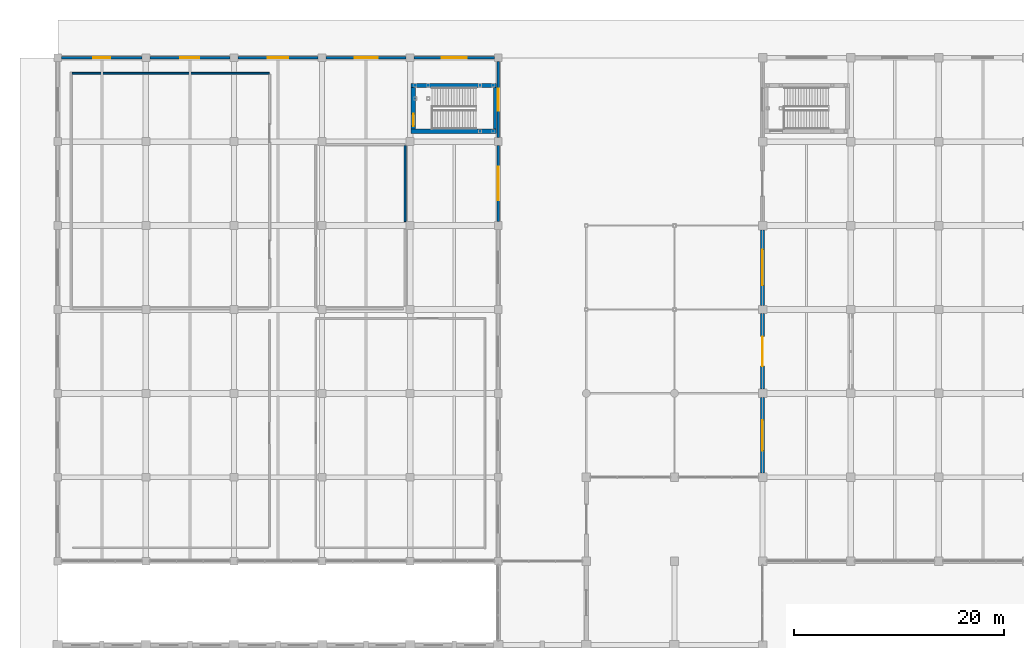
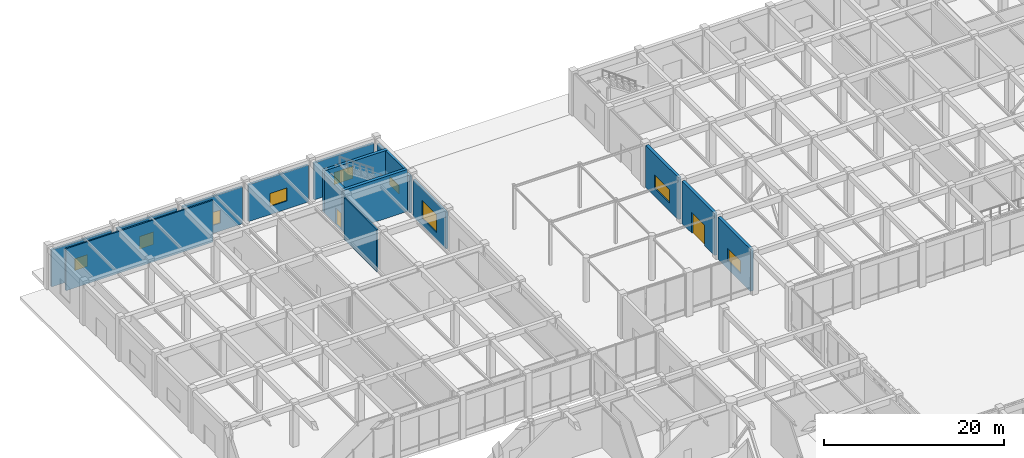
# One storey, part 55 of 76: 16 walls, 9 windows, 2 doors, 11 openings.
"""IFC4 building model written with IfcOpenShell, lengths in metres."""

from ifc_helpers import new_model, si_unit, direction, frame, frame_2d, origin, place, context, subcontext, project, spatial, rectangle, extrude, material, layer, layer_set, type_object, element, fill, save


model = new_model("IFC4")

# Units and contexts
model_context = context("Model", 3, precision=1e-05, world=origin(), true_north=direction((0.0, 1.0)))
body_context = subcontext(model_context, "Body", "Model", "MODEL_VIEW")
ifc_project = project(units=[si_unit("LENGTHUNIT", "METRE"), si_unit("AREAUNIT", "SQUARE_METRE"), si_unit("VOLUMEUNIT", "CUBIC_METRE"), si_unit("PLANEANGLEUNIT", "RADIAN"), si_unit("MASSUNIT", "GRAM", prefix="KILO")], contexts=[model_context])

# Site, building, storey
site_placement = place(None, origin())
site = spatial("IfcSite", under=ifc_project, at=site_placement, CompositionType="ELEMENT")
building_placement = place(site_placement, origin())
building = spatial("IfcBuilding", under=site, at=building_placement, Name="Naruveol Harbour Congress Hotel", CompositionType="ELEMENT")
storey_placement = place(building_placement, origin())
storey = spatial("IfcBuildingStorey", under=building, at=storey_placement, Name="L00", CompositionType="ELEMENT", Elevation=0.0)

# Walls
ifc_material_1 = material(Name="Autoclaved Aerated Concrete Block", Category="concrete")
ifc_layer_1 = layer(ifc_material_1, 0.179931640625)
ifc_layer_set_1 = layer_set([ifc_layer_1], Name="Autoclaved Aerated Concrete Block")
wall_type_1 = type_object("IfcWallType", Name="ACOUSTIC HALL PARTITION WALL 180 EI60", PredefinedType="PARTITIONING", material=ifc_layer_set_1)
wall_1_placement = place(storey_placement, frame((1.3701171875, 110.52001953125, 0.0), z_axis=(0.0, 0.0, 1.0), x_axis=(1.0, 0.0, 0.0)))
element("IfcWall", 1, at=wall_1_placement, inside=storey, type_object=wall_type_1, Name="Mineral Hydrotherapy and Sauna Suite north enclosure partition PW-180", PredefinedType="PARTITIONING", context=body_context, shape_type="SweptSolid", body=[
    extrude(rectangle(XDim=18.7978515625, YDim=0.179931640625, at=frame_2d((9.39892578125, 0.0))), origin(), (0.0, 0.0, 1.0), 5.675048828125),
])
wall_2_placement = place(storey_placement, frame((33.1201171875, 96.3740234375, 0.0), z_axis=(0.0, 0.0, 1.0), x_axis=(0.0, 1.0, 0.0)))
element("IfcWall", 2, at=wall_2_placement, inside=storey, type_object=wall_type_1, Name="Pool Filtration and Treatment Room east enclosure partition PW-180", PredefinedType="PARTITIONING", context=body_context, shape_type="SweptSolid", body=[
    extrude(rectangle(XDim=7.251953125, YDim=0.179931640625, at=frame_2d((3.6259765625, 0.0))), origin(), (0.0, 0.0, 1.0), 5.675048828125),
])

# Wall, opening, window
ifc_material_2 = material(Name="Precast concrete C40/50", Category="concrete")
ifc_layer_2 = layer(ifc_material_2, 0.280029296875)
ifc_layer_set_2 = layer_set([ifc_layer_2], Name="Precast concrete C40/50")
wall_type_2 = type_object("IfcWallType", Name="ARCHITECTURAL PRECAST FACADE WALL 280", PredefinedType="SOLIDWALL", material=ifc_layer_set_2)
wall_3_placement = place(storey_placement, frame((42.0, 103.625, 0.0), z_axis=(0.0, 0.0, 1.0), x_axis=(0.0, -1.0, 0.0)))
wall_3 = element("IfcWall", 3, at=wall_3_placement, inside=storey, type_object=wall_type_2, Name="Spa forecourt wall EW-280", PredefinedType="SOLIDWALL", context=body_context, shape_type="SweptSolid", body=[
    extrude(rectangle(XDim=7.25, YDim=0.280029296875, at=frame_2d((3.625, 0.0))), origin(), (0.0, 0.0, 1.0), 5.0),
])
opening_1_placement = place(wall_3_placement, frame((2.02490234375, 0.0, 1.0)))
opening_1 = element("IfcOpeningElement", 4, at=opening_1_placement, cuts=wall_3, Name="Opening W-11", PredefinedType="OPENING", context=body_context, shape_type="SweptSolid", body=[
    extrude(rectangle(XDim=3.199951171875, YDim=2.39990234375, at=frame_2d((1.60009765625, 1.199951171875))), frame((0.0, 0.14990234375, 0.0), z_axis=(0.0, -1.0, 0.0), x_axis=(1.0, 0.0, 0.0)), (0.0, 0.0, 1.0), 0.300048828125),
])
ifc_material_3 = material(Name="Low-E Triple Glazing in Thermal Aluminium", Category="aluminium")
window_type_1 = type_object("IfcWindowType", Name="BRASSERIE WATERFRONT WINDOW 3200X2400", PartitioningType="DOUBLE_PANEL_VERTICAL", PredefinedType="WINDOW", material=ifc_material_3)
window_1_placement = place(opening_1_placement, origin())
window_1 = element("IfcWindow", 5, at=window_1_placement, inside=storey, type_object=window_type_1, Name="Window W-11 #95", OverallHeight=2.39990234375, OverallWidth=3.199951171875, PartitioningType="DOUBLE_PANEL_VERTICAL", PredefinedType="WINDOW", context=body_context, shape_type="SweptSolid", body=[
    extrude(rectangle(XDim=3.199951171875, YDim=2.39990234375, at=frame_2d((1.60009765625, 1.199951171875))), frame((0.0, 0.030029296875, 0.0), z_axis=(0.0, -1.0, 0.0), x_axis=(1.0, 0.0, 0.0)), (0.0, 0.0, 1.0), 0.06005859375),
])
fill(opening_1, window_1)

wall_4_placement = place(storey_placement, frame((42.0, 111.625, 0.0), z_axis=(0.0, 0.0, 1.0), x_axis=(0.0, -1.0, 0.0)))
wall_4 = element("IfcWall", 6, at=wall_4_placement, inside=storey, type_object=wall_type_2, Name="Spa forecourt wall EW-280", PredefinedType="SOLIDWALL", context=body_context, shape_type="SweptSolid", body=[
    extrude(rectangle(XDim=7.25, YDim=0.280029296875, at=frame_2d((3.625, 0.0))), origin(), (0.0, 0.0, 1.0), 5.0),
])
opening_2_placement = place(wall_4_placement, frame((2.574951171875, 0.0, 1.0)))
opening_2 = element("IfcOpeningElement", 7, at=opening_2_placement, cuts=wall_4, Name="Opening W-17", PredefinedType="OPENING", context=body_context, shape_type="SweptSolid", body=[
    extrude(rectangle(XDim=2.10009765625, YDim=1.10009765625, at=frame_2d((1.050048828125, 0.550048828125))), frame((0.0, 0.14990234375, 0.0), z_axis=(0.0, -1.0, 0.0), x_axis=(1.0, 0.0, 0.0)), (0.0, 0.0, 1.0), 0.300048828125),
])
ifc_material_4 = material(Name="Low-E Triple Glazing in Thermal Aluminium", Category="aluminium")
window_type_2 = type_object("IfcWindowType", Name="SPA HIGHLIGHT WINDOW 2100X1100", PartitioningType="DOUBLE_PANEL_VERTICAL", PredefinedType="WINDOW", material=ifc_material_4)
window_2_placement = place(opening_2_placement, origin())
window_2 = element("IfcWindow", 8, at=window_2_placement, inside=storey, type_object=window_type_2, Name="Window W-17 #96", OverallHeight=1.10009765625, OverallWidth=2.10009765625, PartitioningType="DOUBLE_PANEL_VERTICAL", PredefinedType="WINDOW", context=body_context, shape_type="SweptSolid", body=[
    extrude(rectangle(XDim=2.10009765625, YDim=1.10009765625, at=frame_2d((1.050048828125, 0.550048828125))), frame((0.0, 0.030029296875, 0.0), z_axis=(0.0, -1.0, 0.0), x_axis=(1.0, 0.0, 0.0)), (0.0, 0.0, 1.0), 0.06005859375),
])
fill(opening_2, window_2)

ifc_material_5 = material(Name="Concrete C40/50", Category="concrete")
ifc_layer_3 = layer(ifc_material_5, 0.3798828125)
ifc_layer_set_3 = layer_set([ifc_layer_3], Name="Concrete C40/50")
wall_type_3 = type_object("IfcWallType", Name="INSULATED GRANITE FACADE WALL 380", PredefinedType="SOLIDWALL", material=ifc_layer_set_3)
wall_5_placement = place(storey_placement, frame((67.199951171875, 72.39990234375, 0.0), z_axis=(0.0, 0.0, 1.0), x_axis=(0.0, 1.0, 0.0)))
wall_5 = element("IfcWall", 9, at=wall_5_placement, inside=storey, type_object=wall_type_3, Name="Ballroom west forecourt wall EW-380", PredefinedType="SOLIDWALL", context=body_context, shape_type="SweptSolid", body=[
    extrude(rectangle(XDim=7.2001953125, YDim=0.3798828125, at=frame_2d((3.60009765625, 0.0))), origin(), (0.0, 0.0, 1.0), 5.699951171875),
])
opening_3_placement = place(wall_5_placement, frame((2.14990234375, 0.0, 1.050048828125)))
opening_3 = element("IfcOpeningElement", 10, at=opening_3_placement, cuts=wall_5, Name="Opening W-23", PredefinedType="OPENING", context=body_context, shape_type="SweptSolid", body=[
    extrude(rectangle(XDim=2.89990234375, YDim=1.75, at=frame_2d((1.449951171875, 0.875))), frame((0.0, 0.199951171875, 0.0), z_axis=(0.0, -1.0, 0.0), x_axis=(1.0, 0.0, 0.0)), (0.0, 0.0, 1.0), 0.39990234375),
])
ifc_material_6 = material(Name="Low-E Triple Glazing in Thermal Aluminium", Category="aluminium")
window_type_3 = type_object("IfcWindowType", Name="BOARDROOM HARBOUR WINDOW 2900X1750", PartitioningType="DOUBLE_PANEL_VERTICAL", PredefinedType="WINDOW", material=ifc_material_6)
window_3_placement = place(opening_3_placement, origin())
window_3 = element("IfcWindow", 11, at=window_3_placement, inside=storey, type_object=window_type_3, Name="Window W-23 #104", OverallHeight=1.75, OverallWidth=2.89990234375, PartitioningType="DOUBLE_PANEL_VERTICAL", PredefinedType="WINDOW", context=body_context, shape_type="SweptSolid", body=[
    extrude(rectangle(XDim=2.89990234375, YDim=1.75, at=frame_2d((1.449951171875, 0.875))), frame((0.0, 0.030029296875, 0.0), z_axis=(0.0, -1.0, 0.0), x_axis=(1.0, 0.0, 0.0)), (0.0, 0.0, 1.0), 0.06005859375),
])
fill(opening_3, window_3)

# Wall, opening, door
wall_6_placement = place(storey_placement, frame((67.199951171875, 80.39990234375, 0.0), z_axis=(0.0, 0.0, 1.0), x_axis=(0.0, 1.0, 0.0)))
wall_6 = element("IfcWall", 12, at=wall_6_placement, inside=storey, type_object=wall_type_3, Name="Ballroom west forecourt wall EW-380", PredefinedType="SOLIDWALL", context=body_context, shape_type="SweptSolid", body=[
    extrude(rectangle(XDim=7.2001953125, YDim=0.3798828125, at=frame_2d((3.60009765625, 0.0))), origin(), (0.0, 0.0, 1.0), 5.699951171875),
])
opening_4_placement = place(wall_6_placement, frame((2.199951171875, 0.0, 0.0)))
opening_4 = element("IfcOpeningElement", 13, at=opening_4_placement, cuts=wall_6, Name="Opening ED-BL1", PredefinedType="OPENING", context=body_context, shape_type="SweptSolid", body=[
    extrude(rectangle(XDim=2.800048828125, YDim=2.800048828125, at=frame_2d((1.39990234375, 1.39990234375))), frame((0.0, 0.199951171875, 0.0), z_axis=(0.0, -1.0, 0.0), x_axis=(1.0, 0.0, 0.0)), (0.0, 0.0, 1.0), 0.39990234375),
])
ifc_material_7 = material(Name="Powder-Coated Steel & Insulated Glazing", Category="steel")
door_type_1 = type_object("IfcDoorType", Name="MAIN ARRIVAL GLAZED ENTRANCE 2800X2800", OperationType="DOUBLE_DOOR_SINGLE_SWING", PredefinedType="DOOR", material=ifc_material_7)
door_1_placement = place(opening_4_placement, origin())
door_1 = element("IfcDoor", 14, at=door_1_placement, inside=storey, type_object=door_type_1, Name="Ballroom Forecourt Entrance Door ED-BL1", OperationType="DOUBLE_DOOR_SINGLE_SWING", OverallHeight=2.800048828125, OverallWidth=2.800048828125, PredefinedType="DOOR", context=body_context, shape_type="SweptSolid", body=[
    extrude(rectangle(XDim=2.800048828125, YDim=2.800048828125, at=frame_2d((1.39990234375, 1.39990234375))), frame((0.0, 0.02490234375, 0.0), z_axis=(0.0, -1.0, 0.0), x_axis=(1.0, 0.0, 0.0)), (0.0, 0.0, 1.0), 0.050048828125),
])
fill(opening_4, door_1)

# Wall, opening, window
wall_7_placement = place(storey_placement, frame((67.199951171875, 88.39990234375, 0.0), z_axis=(0.0, 0.0, 1.0), x_axis=(0.0, 1.0, 0.0)))
wall_7 = element("IfcWall", 15, at=wall_7_placement, inside=storey, type_object=wall_type_3, Name="Ballroom west forecourt wall EW-380", PredefinedType="SOLIDWALL", context=body_context, shape_type="SweptSolid", body=[
    extrude(rectangle(XDim=7.2001953125, YDim=0.3798828125, at=frame_2d((3.60009765625, 0.0))), origin(), (0.0, 0.0, 1.0), 5.699951171875),
])
opening_5_placement = place(wall_7_placement, frame((1.89990234375, 0.0, 1.050048828125)))
opening_5 = element("IfcOpeningElement", 16, at=opening_5_placement, cuts=wall_7, Name="Opening W-24", PredefinedType="OPENING", context=body_context, shape_type="SweptSolid", body=[
    extrude(rectangle(XDim=3.39990234375, YDim=1.85009765625, at=frame_2d((1.699951171875, 0.925048828125))), frame((0.0, 0.199951171875, 0.0), z_axis=(0.0, -1.0, 0.0), x_axis=(1.0, 0.0, 0.0)), (0.0, 0.0, 1.0), 0.39990234375),
])
ifc_material_8 = material(Name="Low-E Triple Glazing in Thermal Aluminium", Category="aluminium")
window_type_4 = type_object("IfcWindowType", Name="DELEGATES LOUNGE WINDOW 3400X1850", PartitioningType="DOUBLE_PANEL_VERTICAL", PredefinedType="WINDOW", material=ifc_material_8)
window_4_placement = place(opening_5_placement, origin())
window_4 = element("IfcWindow", 17, at=window_4_placement, inside=storey, type_object=window_type_4, Name="Window W-24 #105", OverallHeight=1.85009765625, OverallWidth=3.39990234375, PartitioningType="DOUBLE_PANEL_VERTICAL", PredefinedType="WINDOW", context=body_context, shape_type="SweptSolid", body=[
    extrude(rectangle(XDim=3.39990234375, YDim=1.85009765625, at=frame_2d((1.699951171875, 0.925048828125))), frame((0.0, 0.030029296875, 0.0), z_axis=(0.0, -1.0, 0.0), x_axis=(1.0, 0.0, 0.0)), (0.0, 0.0, 1.0), 0.06005859375),
])
fill(opening_5, window_4)

ifc_material_9 = material(Name="Concrete C40/50", Category="concrete")
ifc_layer_4 = layer(ifc_material_9, 0.260009765625)
ifc_layer_set_4 = layer_set([ifc_layer_4], Name="Concrete C40/50")
wall_type_4 = type_object("IfcWallType", Name="MARINE INSULATED FACADE WALL 260", PredefinedType="SOLIDWALL", material=ifc_layer_set_4)
wall_8_placement = place(storey_placement, frame((0.375, 112.0, 0.0), z_axis=(0.0, 0.0, 1.0), x_axis=(1.0, 0.0, 0.0)))
wall_8 = element("IfcWall", 18, at=wall_8_placement, inside=storey, type_object=wall_type_4, Name="Spa north wall EW-260", PredefinedType="SOLIDWALL", context=body_context, shape_type="SweptSolid", body=[
    extrude(rectangle(XDim=7.64990234375, YDim=0.260009765625, at=frame_2d((3.824951171875, 0.0))), origin(), (0.0, 0.0, 1.0), 5.0),
])
opening_6_placement = place(wall_8_placement, frame((3.02490234375, 0.0, 1.10009765625)))
opening_6 = element("IfcOpeningElement", 19, at=opening_6_placement, cuts=wall_8, Name="Opening W-03", PredefinedType="OPENING", context=body_context, shape_type="SweptSolid", body=[
    extrude(rectangle(XDim=1.60009765625, YDim=1.60009765625, at=frame_2d((0.800048828125, 0.800048828125))), frame((0.0, 0.139892578125, 0.0), z_axis=(0.0, -1.0, 0.0), x_axis=(1.0, 0.0, 0.0)), (0.0, 0.0, 1.0), 0.280029296875),
])
ifc_material_10 = material(Name="Low-E Triple Glazing in Thermal Aluminium", Category="aluminium")
window_type_5 = type_object("IfcWindowType", Name="DELUXE GUEST WINDOW 1600X1600", PartitioningType="SINGLE_PANEL", PredefinedType="WINDOW", material=ifc_material_10)
window_5_placement = place(opening_6_placement, origin())
window_5 = element("IfcWindow", 20, at=window_5_placement, inside=storey, type_object=window_type_5, Name="Window W-03 #87", OverallHeight=1.60009765625, OverallWidth=1.60009765625, PartitioningType="SINGLE_PANEL", PredefinedType="WINDOW", context=body_context, shape_type="SweptSolid", body=[
    extrude(rectangle(XDim=1.60009765625, YDim=1.60009765625, at=frame_2d((0.800048828125, 0.800048828125))), frame((0.0, 0.030029296875, 0.0), z_axis=(0.0, -1.0, 0.0), x_axis=(1.0, 0.0, 0.0)), (0.0, 0.0, 1.0), 0.06005859375),
])
fill(opening_6, window_5)

wall_9_placement = place(storey_placement, frame((8.77490234375, 112.0, 0.0), z_axis=(0.0, 0.0, 1.0), x_axis=(1.0, 0.0, 0.0)))
wall_9 = element("IfcWall", 21, at=wall_9_placement, inside=storey, type_object=wall_type_4, Name="Spa north wall EW-260", PredefinedType="SOLIDWALL", context=body_context, shape_type="SweptSolid", body=[
    extrude(rectangle(XDim=7.650146484375, YDim=0.260009765625, at=frame_2d((3.8251953125, 0.0))), origin(), (0.0, 0.0, 1.0), 5.0),
])
opening_7_placement = place(wall_9_placement, frame((2.925048828125, 0.0, 1.10009765625)))
opening_7 = element("IfcOpeningElement", 22, at=opening_7_placement, cuts=wall_9, Name="Opening W-04", PredefinedType="OPENING", context=body_context, shape_type="SweptSolid", body=[
    extrude(rectangle(XDim=1.800048828125, YDim=1.699951171875, at=frame_2d((0.89990234375, 0.85009765625))), frame((0.0, 0.139892578125, 0.0), z_axis=(0.0, -1.0, 0.0), x_axis=(1.0, 0.0, 0.0)), (0.0, 0.0, 1.0), 0.280029296875),
])
ifc_material_11 = material(Name="Low-E Triple Glazing in Thermal Aluminium", Category="aluminium")
window_type_6 = type_object("IfcWindowType", Name="DELUXE PANORAMA WINDOW 1800X1700", PartitioningType="DOUBLE_PANEL_VERTICAL", PredefinedType="WINDOW", material=ifc_material_11)
window_6_placement = place(opening_7_placement, origin())
window_6 = element("IfcWindow", 23, at=window_6_placement, inside=storey, type_object=window_type_6, Name="Window W-04 #88", OverallHeight=1.699951171875, OverallWidth=1.800048828125, PartitioningType="DOUBLE_PANEL_VERTICAL", PredefinedType="WINDOW", context=body_context, shape_type="SweptSolid", body=[
    extrude(rectangle(XDim=1.800048828125, YDim=1.699951171875, at=frame_2d((0.89990234375, 0.85009765625))), frame((0.0, 0.030029296875, 0.0), z_axis=(0.0, -1.0, 0.0), x_axis=(1.0, 0.0, 0.0)), (0.0, 0.0, 1.0), 0.06005859375),
])
fill(opening_7, window_6)

wall_10_placement = place(storey_placement, frame((17.175048828125, 112.0, 0.0), z_axis=(0.0, 0.0, 1.0), x_axis=(1.0, 0.0, 0.0)))
wall_10 = element("IfcWall", 24, at=wall_10_placement, inside=storey, type_object=wall_type_4, Name="Spa north wall EW-260", PredefinedType="SOLIDWALL", context=body_context, shape_type="SweptSolid", body=[
    extrude(rectangle(XDim=7.64990234375, YDim=0.260009765625, at=frame_2d((3.824951171875, 0.0))), origin(), (0.0, 0.0, 1.0), 5.0),
])
opening_8_placement = place(wall_10_placement, frame((2.824951171875, 0.0, 1.10009765625)))
opening_8 = element("IfcOpeningElement", 25, at=opening_8_placement, cuts=wall_10, Name="Opening W-05", PredefinedType="OPENING", context=body_context, shape_type="SweptSolid", body=[
    extrude(rectangle(XDim=2.0, YDim=1.75, at=frame_2d((1.0, 0.875))), frame((0.0, 0.139892578125, 0.0), z_axis=(0.0, -1.0, 0.0), x_axis=(1.0, 0.0, 0.0)), (0.0, 0.0, 1.0), 0.280029296875),
])
ifc_material_12 = material(Name="Low-E Triple Glazing in Thermal Aluminium", Category="aluminium")
window_type_7 = type_object("IfcWindowType", Name="GARDEN SUITE WINDOW 2000X1750", PartitioningType="DOUBLE_PANEL_VERTICAL", PredefinedType="WINDOW", material=ifc_material_12)
window_7_placement = place(opening_8_placement, origin())
window_7 = element("IfcWindow", 26, at=window_7_placement, inside=storey, type_object=window_type_7, Name="Window W-05 #89", OverallHeight=1.75, OverallWidth=2.0, PartitioningType="DOUBLE_PANEL_VERTICAL", PredefinedType="WINDOW", context=body_context, shape_type="SweptSolid", body=[
    extrude(rectangle(XDim=2.0, YDim=1.75, at=frame_2d((1.0, 0.875))), frame((0.0, 0.030029296875, 0.0), z_axis=(0.0, -1.0, 0.0), x_axis=(1.0, 0.0, 0.0)), (0.0, 0.0, 1.0), 0.06005859375),
])
fill(opening_8, window_7)

wall_11_placement = place(storey_placement, frame((25.574951171875, 112.0, 0.0), z_axis=(0.0, 0.0, 1.0), x_axis=(1.0, 0.0, 0.0)))
wall_11 = element("IfcWall", 27, at=wall_11_placement, inside=storey, type_object=wall_type_4, Name="Spa north wall EW-260", PredefinedType="SOLIDWALL", context=body_context, shape_type="SweptSolid", body=[
    extrude(rectangle(XDim=7.650146484375, YDim=0.260009765625, at=frame_2d((3.8251953125, 0.0))), origin(), (0.0, 0.0, 1.0), 5.0),
])
opening_9_placement = place(wall_11_placement, frame((2.72509765625, 0.0, 1.10009765625)))
opening_9 = element("IfcOpeningElement", 28, at=opening_9_placement, cuts=wall_11, Name="Opening W-06", PredefinedType="OPENING", context=body_context, shape_type="SweptSolid", body=[
    extrude(rectangle(XDim=2.199951171875, YDim=1.75, at=frame_2d((1.10009765625, 0.875))), frame((0.0, 0.139892578125, 0.0), z_axis=(0.0, -1.0, 0.0), x_axis=(1.0, 0.0, 0.0)), (0.0, 0.0, 1.0), 0.280029296875),
])
ifc_material_13 = material(Name="Low-E Triple Glazing in Thermal Aluminium", Category="aluminium")
window_type_8 = type_object("IfcWindowType", Name="HARBOUR SUITE WINDOW 2200X1750", PartitioningType="DOUBLE_PANEL_VERTICAL", PredefinedType="WINDOW", material=ifc_material_13)
window_8_placement = place(opening_9_placement, origin())
window_8 = element("IfcWindow", 29, at=window_8_placement, inside=storey, type_object=window_type_8, Name="Window W-06 #90", OverallHeight=1.75, OverallWidth=2.199951171875, PartitioningType="DOUBLE_PANEL_VERTICAL", PredefinedType="WINDOW", context=body_context, shape_type="SweptSolid", body=[
    extrude(rectangle(XDim=2.199951171875, YDim=1.75, at=frame_2d((1.10009765625, 0.875))), frame((0.0, 0.030029296875, 0.0), z_axis=(0.0, -1.0, 0.0), x_axis=(1.0, 0.0, 0.0)), (0.0, 0.0, 1.0), 0.06005859375),
])
fill(opening_9, window_8)

wall_12_placement = place(storey_placement, frame((33.97509765625, 112.0, 0.0), z_axis=(0.0, 0.0, 1.0), x_axis=(1.0, 0.0, 0.0)))
wall_12 = element("IfcWall", 30, at=wall_12_placement, inside=storey, type_object=wall_type_4, Name="Spa north wall EW-260", PredefinedType="SOLIDWALL", context=body_context, shape_type="SweptSolid", body=[
    extrude(rectangle(XDim=7.64990234375, YDim=0.260009765625, at=frame_2d((3.824951171875, 0.0))), origin(), (0.0, 0.0, 1.0), 5.0),
])
opening_10_placement = place(wall_12_placement, frame((2.625, 0.0, 1.10009765625)))
opening_10 = element("IfcOpeningElement", 31, at=opening_10_placement, cuts=wall_12, Name="Opening W-07", PredefinedType="OPENING", context=body_context, shape_type="SweptSolid", body=[
    extrude(rectangle(XDim=2.39990234375, YDim=1.64990234375, at=frame_2d((1.199951171875, 0.824951171875))), frame((0.0, 0.139892578125, 0.0), z_axis=(0.0, -1.0, 0.0), x_axis=(1.0, 0.0, 0.0)), (0.0, 0.0, 1.0), 0.280029296875),
])
ifc_material_14 = material(Name="Low-E Triple Glazing in Thermal Aluminium", Category="aluminium")
window_type_9 = type_object("IfcWindowType", Name="CORNER SUITE WINDOW 2400X1650", PartitioningType="DOUBLE_PANEL_VERTICAL", PredefinedType="WINDOW", material=ifc_material_14)
window_9_placement = place(opening_10_placement, origin())
window_9 = element("IfcWindow", 32, at=window_9_placement, inside=storey, type_object=window_type_9, Name="Window W-07 #91", OverallHeight=1.64990234375, OverallWidth=2.39990234375, PartitioningType="DOUBLE_PANEL_VERTICAL", PredefinedType="WINDOW", context=body_context, shape_type="SweptSolid", body=[
    extrude(rectangle(XDim=2.39990234375, YDim=1.64990234375, at=frame_2d((1.199951171875, 0.824951171875))), frame((0.0, 0.030029296875, 0.0), z_axis=(0.0, -1.0, 0.0), x_axis=(1.0, 0.0, 0.0)), (0.0, 0.0, 1.0), 0.06005859375),
])
fill(opening_10, window_9)

# Walls
ifc_material_15 = material(Name="Concrete C50/60", Category="concrete")
ifc_layer_5 = layer(ifc_material_15, 0.39990234375)
ifc_layer_set_5 = layer_set([ifc_layer_5], Name="Concrete C50/60")
wall_type_5 = type_object("IfcWallType", Name="RC CORE SHEAR WALL 400 EI120", PredefinedType="SHEAR", material=ifc_layer_set_5)
for number, where, z_axis, x_axis, name in (
    (33, (33.699951171875, 105.0, 0.0), (0.0, 0.0, 1.0), (1.0, 0.0, 0.0), "Stair ST7 south core wall CW-400"),
    (34, (33.699951171875, 109.360107421875, 0.0), (0.0, 0.0, 1.0), (1.0, 0.0, 0.0), "Stair ST7 north core wall CW-400"),
):
    element("IfcWall", number, at=place(storey_placement, frame(where, z_axis=z_axis, x_axis=x_axis)), inside=storey, type_object=wall_type_5, Name=name, PredefinedType="SHEAR", context=body_context, shape_type="SweptSolid", body=[
        extrude(rectangle(XDim=8.150146484375, YDim=0.39990234375, at=frame_2d((4.0751953125, 0.0))), origin(), (0.0, 0.0, 1.0), 5.675048828125),
    ])

# Wall, opening, door
wall_13_placement = place(storey_placement, frame((33.89990234375, 105.205078125, 0.0), z_axis=(0.0, 0.0, 1.0), x_axis=(0.0, 1.0, 0.0)))
wall_13 = element("IfcWall", 35, at=wall_13_placement, inside=storey, type_object=wall_type_5, Name="Stair ST7 west core wall CW-400", PredefinedType="SHEAR", context=body_context, shape_type="SweptSolid", body=[
    extrude(rectangle(XDim=3.949951171875, YDim=0.39990234375, at=frame_2d((1.97509765625, 0.0))), origin(), (0.0, 0.0, 1.0), 5.675048828125),
])
opening_11_placement = place(wall_13_placement, frame((0.280029296875, 0.0, 0.0)))
opening_11 = element("IfcOpeningElement", 36, at=opening_11_placement, cuts=wall_13, Name="Opening FD-ST7-L00", PredefinedType="OPENING", context=body_context, shape_type="SweptSolid", body=[
    extrude(rectangle(XDim=1.159912109375, YDim=2.199951171875, at=frame_2d((0.580078125, 1.10009765625))), frame((0.0, 0.2099609375, 0.0), z_axis=(0.0, -1.0, 0.0), x_axis=(1.0, 0.0, 0.0)), (0.0, 0.0, 1.0), 0.419921875),
])
ifc_material_16 = material(Name="Timber & Steel Acoustic Leaf", Category="steel")
door_type_2 = type_object("IfcDoorType", Name="SPECIAL ESCAPE STAIR FIRE DOOR 1160X2200", OperationType="NOTDEFINED", PredefinedType="DOOR", material=ifc_material_16)
door_2_placement = place(opening_11_placement, origin())
door_2 = element("IfcDoor", 37, at=door_2_placement, inside=storey, type_object=door_type_2, Name="Enclosed Exit Stair Door ST7 L00", OperationType="SINGLE_SWING_LEFT", OverallHeight=2.199951171875, OverallWidth=1.159912109375, PredefinedType="DOOR", context=body_context, shape_type="SweptSolid", body=[
    extrude(rectangle(XDim=1.159912109375, YDim=2.199951171875, at=frame_2d((0.580078125, 1.10009765625))), frame((0.0, 0.02490234375, 0.0), z_axis=(0.0, -1.0, 0.0), x_axis=(1.0, 0.0, 0.0)), (0.0, 0.0, 1.0), 0.050048828125),
])
fill(opening_11, door_2)

# Wall
ifc_material_17 = material(Name="Concrete C50/60", Category="concrete")
ifc_layer_6 = layer(ifc_material_17, 0.300048828125)
ifc_layer_set_6 = layer_set([ifc_layer_6], Name="Concrete C50/60")
wall_type_6 = type_object("IfcWallType", Name="RC STAIR AND HOISTWAY SHEAR WALL 300 EI120", PredefinedType="SHEAR", material=ifc_layer_set_6)
wall_14_placement = place(storey_placement, frame((41.699951171875, 105.205078125, 0.0), z_axis=(0.0, 0.0, 1.0), x_axis=(0.0, 1.0, 0.0)))
element("IfcWall", 38, at=wall_14_placement, inside=storey, type_object=wall_type_6, Name="Stair ST7 east core wall SW-300", PredefinedType="SHEAR", context=body_context, shape_type="SweptSolid", body=[
    extrude(rectangle(XDim=3.949951171875, YDim=0.300048828125, at=frame_2d((1.97509765625, 0.0))), origin(), (0.0, 0.0, 1.0), 5.675048828125),
])

save(model, "model.ifc")
